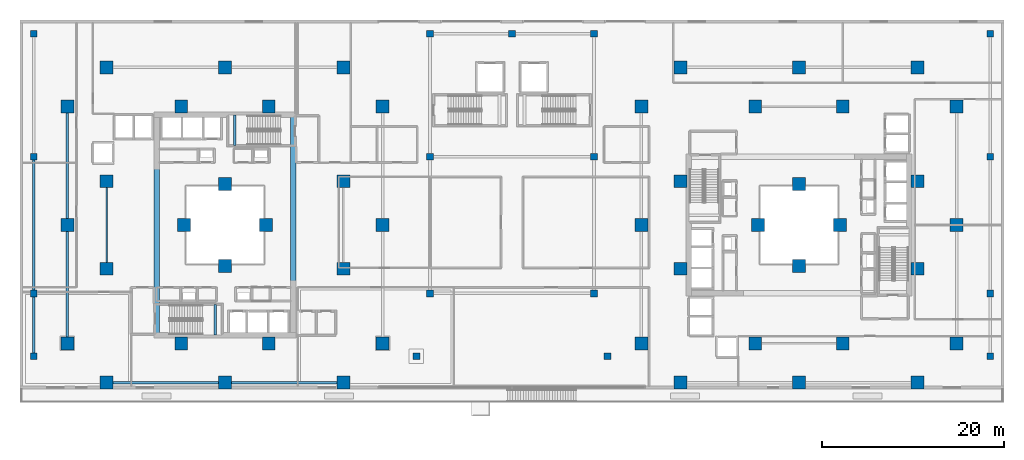
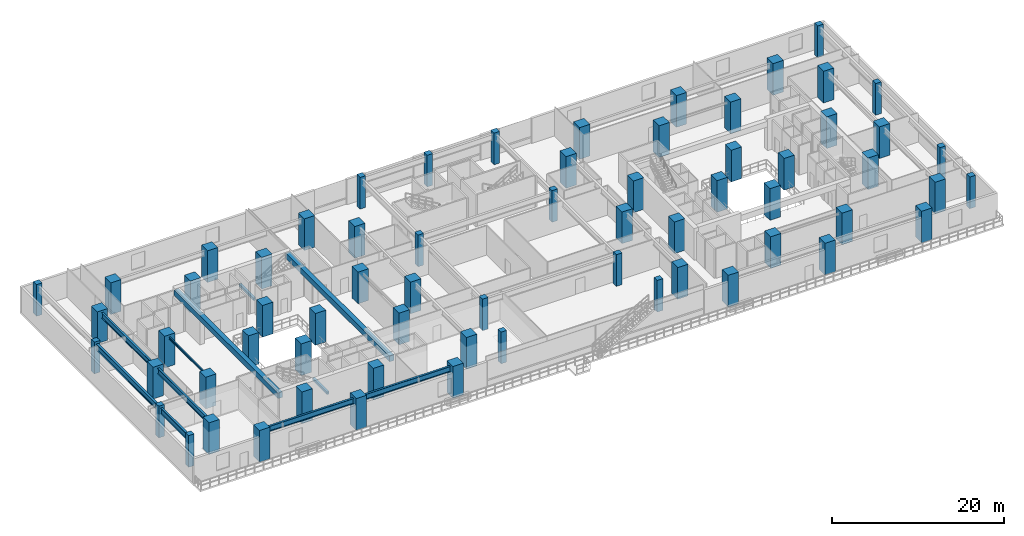
# One storey, part 1 of 24: 65 columns, 11 beams.
"""IFC4 building model written with IfcOpenShell, lengths in metres."""

from ifc_helpers import new_model, si_unit, direction, frame, origin, origin_2d, place, context, subcontext, project, spatial, rectangle, i_section, extrude, material, material_profile, profile_set, type_object, element, save


model = new_model("IFC4")

# Units and contexts
model_context = context("Model", 3, precision=1e-05, world=origin(), true_north=direction((0.0, 1.0)))
body_context = subcontext(model_context, "Body", "Model", "MODEL_VIEW")
ifc_project = project(units=[si_unit("LENGTHUNIT", "METRE"), si_unit("AREAUNIT", "SQUARE_METRE"), si_unit("VOLUMEUNIT", "CUBIC_METRE"), si_unit("PLANEANGLEUNIT", "RADIAN"), si_unit("MASSUNIT", "GRAM", prefix="KILO")], contexts=[model_context])

# Site, building, storey
site_placement = place(None, origin())
site = spatial("IfcSite", under=ifc_project, at=site_placement, CompositionType="ELEMENT")
building_placement = place(site_placement, origin())
building = spatial("IfcBuilding", under=site, at=building_placement, Name="Thornwick Lancets Civic Towers", CompositionType="ELEMENT")
storey_placement = place(building_placement, frame((0.0, 0.0, 14.10009765625)))
storey = spatial("IfcBuildingStorey", under=building, at=storey_placement, Name="L03", CompositionType="ELEMENT", Elevation=14.10009765625)

# Columns
ifc_material_1 = material(Name="Concrete C60/75", Category="concrete")
ifc_material_profile_1 = material_profile(ifc_material_1, rectangle(XDim=1.39990234375, YDim=1.39990234375, at=origin_2d()), Name="RC 1400x1400")
ifc_profile_set_1 = profile_set([ifc_material_profile_1], Name="Concrete C60/75")
column_type_1 = type_object("IfcColumnType", Name="COL_RC_1400", PredefinedType="COLUMN", material=ifc_profile_set_1)
for number, where, z_axis, x_axis, name in (
    (1, (12.5, 9.699951171875, 0.0), (0.0, 0.0, 1.0), (1.0, 0.0, 0.0), "L03 Spine Mega-Column A01"),
    (2, (25.5, 9.699951171875, 0.0), (0.0, 0.0, 1.0), (1.0, 0.0, 0.0), "L03 Spine Mega-Column A02"),
    (3, (38.5, 9.699951171875, 0.0), (0.0, 0.0, 1.0), (1.0, 0.0, 0.0), "L03 Spine Mega-Column A03"),
    (4, (42.800048828125, 14.0, 0.0), (0.0, 0.0, 1.0), (1.0, 0.0, 0.0), "L03 Spine Mega-Column A04"),
    (5, (42.800048828125, 27.0, 0.0), (0.0, 0.0, 1.0), (1.0, 0.0, 0.0), "L03 Spine Mega-Column A05"),
    (6, (42.800048828125, 40.0, 0.0), (0.0, 0.0, 1.0), (1.0, 0.0, 0.0), "L03 Spine Mega-Column A06"),
    (7, (12.5, 44.300048828125, 0.0), (0.0, 0.0, 1.0), (1.0, 0.0, 0.0), "L03 Spine Mega-Column A07"),
    (8, (25.5, 44.300048828125, 0.0), (0.0, 0.0, 1.0), (1.0, 0.0, 0.0), "L03 Spine Mega-Column A08"),
    (9, (38.5, 44.300048828125, 0.0), (0.0, 0.0, 1.0), (1.0, 0.0, 0.0), "L03 Spine Mega-Column A09"),
    (10, (8.199951171875, 14.0, 0.0), (0.0, 0.0, 1.0), (1.0, 0.0, 0.0), "L03 Spine Mega-Column A10"),
    (11, (8.199951171875, 27.0, 0.0), (0.0, 0.0, 1.0), (1.0, 0.0, 0.0), "L03 Spine Mega-Column A11"),
    (12, (8.199951171875, 40.0, 0.0), (0.0, 0.0, 1.0), (1.0, 0.0, 0.0), "L03 Spine Mega-Column A12"),
    (13, (12.5, 22.199951171875, 0.0), (0.0, 0.0, 1.0), (1.0, 0.0, 0.0), "L03 Spine Mega-Column A13"),
    (14, (38.5, 22.199951171875, 0.0), (0.0, 0.0, 1.0), (1.0, 0.0, 0.0), "L03 Spine Mega-Column A14"),
    (15, (12.5, 31.800048828125, 0.0), (0.0, 0.0, 1.0), (1.0, 0.0, 0.0), "L03 Spine Mega-Column A15"),
    (16, (38.5, 31.800048828125, 0.0), (0.0, 0.0, 1.0), (1.0, 0.0, 0.0), "L03 Spine Mega-Column A16"),
    (17, (20.699951171875, 14.0, 0.0), (0.0, 0.0, 1.0), (1.0, 0.0, 0.0), "L03 Spine Mega-Column A17"),
    (18, (30.300048828125, 14.0, 0.0), (0.0, 0.0, 1.0), (1.0, 0.0, 0.0), "L03 Spine Mega-Column A18"),
    (19, (20.699951171875, 40.0, 0.0), (0.0, 0.0, 1.0), (1.0, 0.0, 0.0), "L03 Spine Mega-Column A19"),
    (20, (30.300048828125, 40.0, 0.0), (0.0, 0.0, 1.0), (1.0, 0.0, 0.0), "L03 Spine Mega-Column A20"),
    (21, (25.5, 22.5, 0.0), (0.0, 0.0, 1.0), (1.0, 0.0, 0.0), "L03 Spine Mega-Column A21"),
    (22, (25.5, 31.5, 0.0), (0.0, 0.0, 1.0), (1.0, 0.0, 0.0), "L03 Spine Mega-Column A22"),
    (23, (21.0, 27.0, 0.0), (0.0, 0.0, 1.0), (1.0, 0.0, 0.0), "L03 Spine Mega-Column A23"),
    (24, (30.0, 27.0, 0.0), (0.0, 0.0, 1.0), (1.0, 0.0, 0.0), "L03 Spine Mega-Column A24"),
    (25, (105.800048828125, 14.0, 0.0), (0.0, 0.0, 1.0), (1.0, 0.0, 0.0), "L03 Spine Mega-Column B01"),
    (26, (105.800048828125, 27.0, 0.0), (0.0, 0.0, 1.0), (1.0, 0.0, 0.0), "L03 Spine Mega-Column B02"),
    (27, (105.800048828125, 40.0, 0.0), (0.0, 0.0, 1.0), (1.0, 0.0, 0.0), "L03 Spine Mega-Column B03"),
    (28, (101.5, 44.300048828125, 0.0), (0.0, 0.0, 1.0), (1.0, 0.0, 0.0), "L03 Spine Mega-Column B04"),
    (29, (88.5, 44.300048828125, 0.0), (0.0, 0.0, 1.0), (1.0, 0.0, 0.0), "L03 Spine Mega-Column B05"),
    (30, (75.5, 44.300048828125, 0.0), (0.0, 0.0, 1.0), (1.0, 0.0, 0.0), "L03 Spine Mega-Column B06"),
    (31, (71.199951171875, 14.0, 0.0), (0.0, 0.0, 1.0), (1.0, 0.0, 0.0), "L03 Spine Mega-Column B07"),
    (32, (71.199951171875, 27.0, 0.0), (0.0, 0.0, 1.0), (1.0, 0.0, 0.0), "L03 Spine Mega-Column B08"),
    (33, (71.199951171875, 40.0, 0.0), (0.0, 0.0, 1.0), (1.0, 0.0, 0.0), "L03 Spine Mega-Column B09"),
    (34, (101.5, 9.699951171875, 0.0), (0.0, 0.0, 1.0), (1.0, 0.0, 0.0), "L03 Spine Mega-Column B10"),
    (35, (88.5, 9.699951171875, 0.0), (0.0, 0.0, 1.0), (1.0, 0.0, 0.0), "L03 Spine Mega-Column B11"),
    (36, (75.5, 9.699951171875, 0.0), (0.0, 0.0, 1.0), (1.0, 0.0, 0.0), "L03 Spine Mega-Column B12"),
    (37, (93.300048828125, 14.0, 0.0), (0.0, 0.0, 1.0), (1.0, 0.0, 0.0), "L03 Spine Mega-Column B13"),
    (38, (93.300048828125, 40.0, 0.0), (0.0, 0.0, 1.0), (1.0, 0.0, 0.0), "L03 Spine Mega-Column B14"),
    (39, (83.699951171875, 14.0, 0.0), (0.0, 0.0, 1.0), (1.0, 0.0, 0.0), "L03 Spine Mega-Column B15"),
    (40, (83.699951171875, 40.0, 0.0), (0.0, 0.0, 1.0), (1.0, 0.0, 0.0), "L03 Spine Mega-Column B16"),
    (41, (101.5, 22.199951171875, 0.0), (0.0, 0.0, 1.0), (1.0, 0.0, 0.0), "L03 Spine Mega-Column B17"),
    (42, (101.5, 31.800048828125, 0.0), (0.0, 0.0, 1.0), (1.0, 0.0, 0.0), "L03 Spine Mega-Column B18"),
    (43, (75.5, 22.199951171875, 0.0), (0.0, 0.0, 1.0), (1.0, 0.0, 0.0), "L03 Spine Mega-Column B19"),
    (44, (75.5, 31.800048828125, 0.0), (0.0, 0.0, 1.0), (1.0, 0.0, 0.0), "L03 Spine Mega-Column B20"),
    (45, (93.0, 27.0, 0.0), (0.0, 0.0, 1.0), (1.0, 0.0, 0.0), "L03 Spine Mega-Column B21"),
    (46, (84.0, 27.0, 0.0), (0.0, 0.0, 1.0), (1.0, 0.0, 0.0), "L03 Spine Mega-Column B22"),
    (47, (88.5, 22.5, 0.0), (0.0, 0.0, 1.0), (1.0, 0.0, 0.0), "L03 Spine Mega-Column B23"),
    (48, (88.5, 31.5, 0.0), (0.0, 0.0, 1.0), (1.0, 0.0, 0.0), "L03 Spine Mega-Column B24"),
):
    element("IfcColumn", number, at=place(storey_placement, frame(where, z_axis=z_axis, x_axis=x_axis)), inside=storey, type_object=column_type_1, Name=name, PredefinedType="COLUMN", context=body_context, shape_type="SweptSolid", body=[
        extrude(rectangle(XDim=1.39990234375, YDim=1.39990234375, at=origin_2d()), origin(), (0.0, 0.0, 1.0), 4.5),
    ])
ifc_material_2 = material(Name="Concrete C40/50", Category="concrete")
ifc_material_profile_2 = material_profile(ifc_material_2, rectangle(XDim=0.75, YDim=0.75, at=origin_2d()), Name="RC 750x750")
ifc_profile_set_2 = profile_set([ifc_material_profile_2], Name="Concrete C40/50")
column_type_2 = type_object("IfcColumnType", Name="COL_RC_750", PredefinedType="COLUMN", material=ifc_profile_set_2)
for number, where, z_axis, x_axis, name in (
    (49, (4.5, 12.60009765625, 0.0), (0.0, 0.0, 1.0), (1.0, 0.0, 0.0), "L03 Podium Column P07"),
    (50, (46.5, 12.60009765625, 0.0), (0.0, 0.0, 1.0), (1.0, 0.0, 0.0), "L03 Podium Column P08"),
    (51, (67.5, 12.60009765625, 0.0), (0.0, 0.0, 1.0), (1.0, 0.0, 0.0), "L03 Podium Column P09"),
    (52, (109.5, 12.60009765625, 0.0), (0.0, 0.0, 1.0), (1.0, 0.0, 0.0), "L03 Podium Column P10"),
    (53, (4.5, 19.5, 0.0), (0.0, 0.0, 1.0), (1.0, 0.0, 0.0), "L03 Podium Column P11"),
    (54, (4.5, 34.5, 0.0), (0.0, 0.0, 1.0), (1.0, 0.0, 0.0), "L03 Podium Column P12"),
    (55, (4.5, 48.0, 0.0), (0.0, 0.0, 1.0), (1.0, 0.0, 0.0), "L03 Podium Column P13"),
    (56, (48.0, 19.5, 0.0), (0.0, 0.0, 1.0), (1.0, 0.0, 0.0), "L03 Podium Column P14"),
    (57, (66.0, 19.5, 0.0), (0.0, 0.0, 1.0), (1.0, 0.0, 0.0), "L03 Podium Column P15"),
    (58, (48.0, 34.5, 0.0), (0.0, 0.0, 1.0), (1.0, 0.0, 0.0), "L03 Podium Column P16"),
    (59, (66.0, 34.5, 0.0), (0.0, 0.0, 1.0), (1.0, 0.0, 0.0), "L03 Podium Column P17"),
    (60, (48.0, 48.0, 0.0), (0.0, 0.0, 1.0), (1.0, 0.0, 0.0), "L03 Podium Column P18"),
    (61, (57.0, 48.0, 0.0), (0.0, 0.0, 1.0), (1.0, 0.0, 0.0), "L03 Podium Column P19"),
    (62, (66.0, 48.0, 0.0), (0.0, 0.0, 1.0), (1.0, 0.0, 0.0), "L03 Podium Column P20"),
    (63, (109.5, 19.5, 0.0), (0.0, 0.0, 1.0), (1.0, 0.0, 0.0), "L03 Podium Column P21"),
    (64, (109.5, 34.5, 0.0), (0.0, 0.0, 1.0), (1.0, 0.0, 0.0), "L03 Podium Column P22"),
    (65, (109.5, 48.0, 0.0), (0.0, 0.0, 1.0), (1.0, 0.0, 0.0), "L03 Podium Column P23"),
):
    element("IfcColumn", number, at=place(storey_placement, frame(where, z_axis=z_axis, x_axis=x_axis)), inside=storey, type_object=column_type_2, Name=name, PredefinedType="COLUMN", context=body_context, shape_type="SweptSolid", body=[
        extrude(rectangle(XDim=0.75, YDim=0.75, at=origin_2d()), origin(), (0.0, 0.0, 1.0), 4.5),
    ])

# Beams
ifc_material_profile_3 = material_profile(ifc_material_1, rectangle(XDim=0.60009765625, YDim=0.800048828125, at=origin_2d()), Name="RC 600x800")
ifc_profile_set_3 = profile_set([ifc_material_profile_3], Name="Concrete C60/75")
beam_type_1 = type_object("IfcBeamType", Name="BM_COUP_RC800", PredefinedType="BEAM", material=ifc_profile_set_3)
for number, where, z_axis, x_axis, name in (
    (66, (33.0, 14.89990234375, 3.77978515625), (0.0, 1.0, 0.0), (-1.0, 0.0, 0.0), "CB-L03-A1"),
    (67, (18.0, 14.89990234375, 3.77978515625), (0.0, 1.0, 0.0), (-1.0, 0.0, 0.0), "CB-L03-A2"),
):
    element("IfcBeam", number, at=place(storey_placement, frame(where, z_axis=z_axis, x_axis=x_axis)), inside=storey, type_object=beam_type_1, Name=name, PredefinedType="BEAM", context=body_context, shape_type="SweptSolid", body=[
        extrude(rectangle(XDim=0.60009765625, YDim=0.800048828125, at=origin_2d()), origin(), (0.0, 0.0, 1.0), 24.2001953125),
    ])
ifc_material_3 = material(Name="Steel S355JR", Category="steel")
ifc_material_profile_4 = material_profile(ifc_material_3, i_section(OverallWidth=0.26806640625, OverallDepth=0.769775390625, WebThickness=0.015625, FlangeThickness=0.025390625, FilletRadius=0.0166015625, at=origin_2d()), Name="UKB 762x267x197")
ifc_profile_set_4 = profile_set([ifc_material_profile_4], Name="Steel S355JR")
beam_type_2 = type_object("IfcBeamType", Name="BM_GIRD_762_197", PredefinedType="BEAM", material=ifc_profile_set_4)
beam_1_placement = place(storey_placement, frame((12.5, 9.699951171875, 3.794921875), z_axis=(1.0, 0.0, 0.0), x_axis=(0.0, 1.0, 0.0)))
element("IfcBeam", 68, at=beam_1_placement, inside=storey, type_object=beam_type_2, Name="BM-SPINE-L03-A-0-1", PredefinedType="BEAM", context=body_context, shape_type="SweptSolid", body=[
    extrude(i_section(OverallWidth=0.26806640625, OverallDepth=0.769775390625, WebThickness=0.015625, FlangeThickness=0.025390625, FilletRadius=0.0166015625, at=origin_2d()), origin(), (0.0, 0.0, 1.0), 13.0),
])
beam_2_placement = place(storey_placement, frame((25.580078125, 9.699951171875, 3.794921875), z_axis=(1.0, 0.0, 0.0), x_axis=(0.0, 1.0, 0.0)))
element("IfcBeam", 69, at=beam_2_placement, inside=storey, type_object=beam_type_2, Name="BM-SPINE-L03-A-1-2", PredefinedType="BEAM", context=body_context, shape_type="SweptSolid", body=[
    extrude(i_section(OverallWidth=0.26806640625, OverallDepth=0.769775390625, WebThickness=0.015625, FlangeThickness=0.025390625, FilletRadius=0.0166015625, at=origin_2d()), origin(), (0.0, 0.0, 1.0), 12.919921875),
])
beam_3_placement = place(storey_placement, frame((8.199951171875, 14.0, 3.794921875), z_axis=(0.0, 1.0, 0.0), x_axis=(-1.0, 0.0, 0.0)))
element("IfcBeam", 70, at=beam_3_placement, inside=storey, type_object=beam_type_2, Name="BM-SPINE-L03-A-9-10", PredefinedType="BEAM", context=body_context, shape_type="SweptSolid", body=[
    extrude(i_section(OverallWidth=0.26806640625, OverallDepth=0.769775390625, WebThickness=0.015625, FlangeThickness=0.025390625, FilletRadius=0.0166015625, at=origin_2d()), origin(), (0.0, 0.0, 1.0), 13.0),
])
beam_4_placement = place(storey_placement, frame((8.199951171875, 27.080078125, 3.794921875), z_axis=(0.0, 1.0, 0.0), x_axis=(-1.0, 0.0, 0.0)))
element("IfcBeam", 71, at=beam_4_placement, inside=storey, type_object=beam_type_2, Name="BM-SPINE-L03-A-10-11", PredefinedType="BEAM", context=body_context, shape_type="SweptSolid", body=[
    extrude(i_section(OverallWidth=0.26806640625, OverallDepth=0.769775390625, WebThickness=0.015625, FlangeThickness=0.025390625, FilletRadius=0.0166015625, at=origin_2d()), origin(), (0.0, 0.0, 1.0), 12.919921875),
])
ifc_material_profile_5 = material_profile(ifc_material_3, i_section(OverallWidth=0.1669921875, OverallDepth=0.310302734375, WebThickness=0.0078125, FlangeThickness=0.013671875, FilletRadius=0.0087890625, at=origin_2d()), Name="UKB 305x165x54")
ifc_profile_set_5 = profile_set([ifc_material_profile_5], Name="Steel S355JR")
beam_type_3 = type_object("IfcBeamType", Name="BM_LINTEL_305_54", PredefinedType="LINTEL", material=ifc_profile_set_5)
beam_5_placement = place(storey_placement, frame((12.5, 22.199951171875, 4.024658203125), z_axis=(0.0, 1.0, 0.0), x_axis=(-1.0, 0.0, 0.0)))
element("IfcBeam", 72, at=beam_5_placement, inside=storey, type_object=beam_type_3, Name="BM-INSP-L03-A-0-2", PredefinedType="LINTEL", context=body_context, shape_type="SweptSolid", body=[
    extrude(i_section(OverallWidth=0.1669921875, OverallDepth=0.310302734375, WebThickness=0.0078125, FlangeThickness=0.013671875, FilletRadius=0.0087890625, at=origin_2d()), origin(), (0.0, 0.0, 1.0), 9.60009765625),
])
ifc_material_profile_6 = material_profile(ifc_material_3, i_section(OverallWidth=0.293701171875, OverallDepth=0.850830078125, WebThickness=0.01611328125, FlangeThickness=0.02685546875, FilletRadius=0.017822265625, at=origin_2d()), Name="UKB 838x292x226")
ifc_profile_set_6 = profile_set([ifc_material_profile_6], Name="Steel S355JR")
beam_type_4 = type_object("IfcBeamType", Name="BM_POD_838_226", PredefinedType="BEAM", material=ifc_profile_set_6)
beam_6_placement = place(storey_placement, frame((4.5, 12.60009765625, 3.75439453125), z_axis=(0.0, 1.0, 0.0), x_axis=(-1.0, 0.0, 0.0)))
element("IfcBeam", 73, at=beam_6_placement, inside=storey, type_object=beam_type_4, Name="BM-PODG-L03-0-4", PredefinedType="BEAM", context=body_context, shape_type="SweptSolid", body=[
    extrude(i_section(OverallWidth=0.293701171875, OverallDepth=0.850830078125, WebThickness=0.01611328125, FlangeThickness=0.02685546875, FilletRadius=0.017822265625, at=origin_2d()), origin(), (0.0, 0.0, 1.0), 6.89990234375),
])
beam_7_placement = place(storey_placement, frame((4.5, 19.580078125, 3.75439453125), z_axis=(0.0, 1.0, 0.0), x_axis=(-1.0, 0.0, 0.0)))
element("IfcBeam", 74, at=beam_7_placement, inside=storey, type_object=beam_type_4, Name="BM-PODG-L03-4-5", PredefinedType="BEAM", context=body_context, shape_type="SweptSolid", body=[
    extrude(i_section(OverallWidth=0.293701171875, OverallDepth=0.850830078125, WebThickness=0.01611328125, FlangeThickness=0.02685546875, FilletRadius=0.017822265625, at=origin_2d()), origin(), (0.0, 0.0, 1.0), 14.919921875),
])
ifc_material_profile_7 = material_profile(ifc_material_2, rectangle(XDim=0.300048828125, YDim=0.35009765625, at=origin_2d()), Name="RC 300x350")
ifc_profile_set_7 = profile_set([ifc_material_profile_7], Name="Concrete C40/50")
beam_type_5 = type_object("IfcBeamType", Name="BM_STAIR_LDG", PredefinedType="BEAM", material=ifc_profile_set_7)
for number, where, z_axis, x_axis, name in (
    (75, (24.43505859375, 14.89990234375, 1.827880859375), (0.0, 1.0, 0.0), (-1.0, 0.0, 0.0), "L03 ST-A1 Landing Support Beam 1"),
    (76, (26.56494140625, 39.10009765625, 1.827880859375), (0.0, -1.0, 0.0), (1.0, 0.0, 0.0), "L03 ST-A2 Landing Support Beam 1"),
):
    element("IfcBeam", number, at=place(storey_placement, frame(where, z_axis=z_axis, x_axis=x_axis)), inside=storey, type_object=beam_type_5, Name=name, PredefinedType="BEAM", context=body_context, shape_type="SweptSolid", body=[
        extrude(rectangle(XDim=0.300048828125, YDim=0.35009765625, at=origin_2d()), origin(), (0.0, 0.0, 1.0), 3.400146484375),
    ])

save(model, "model.ifc")
